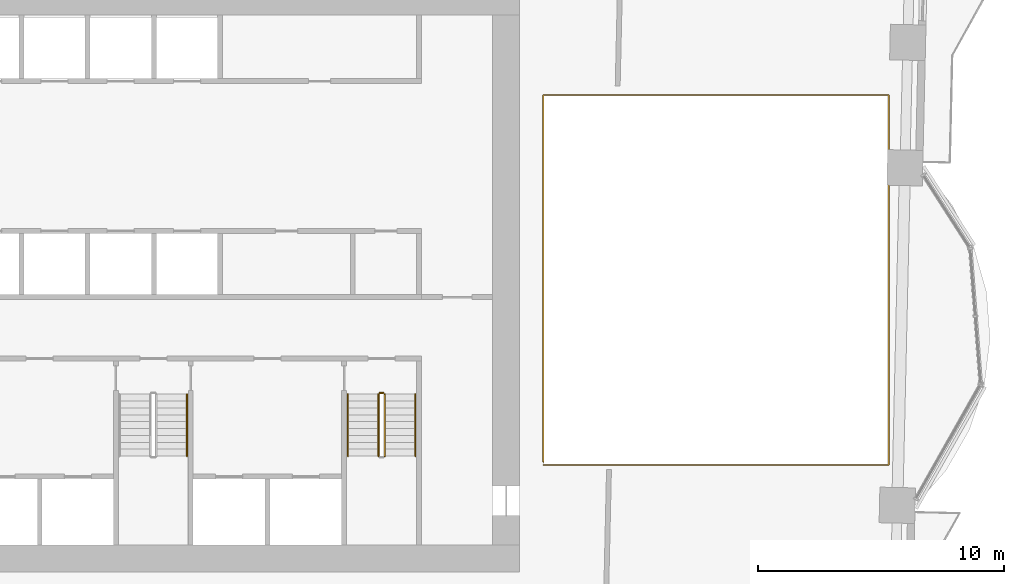
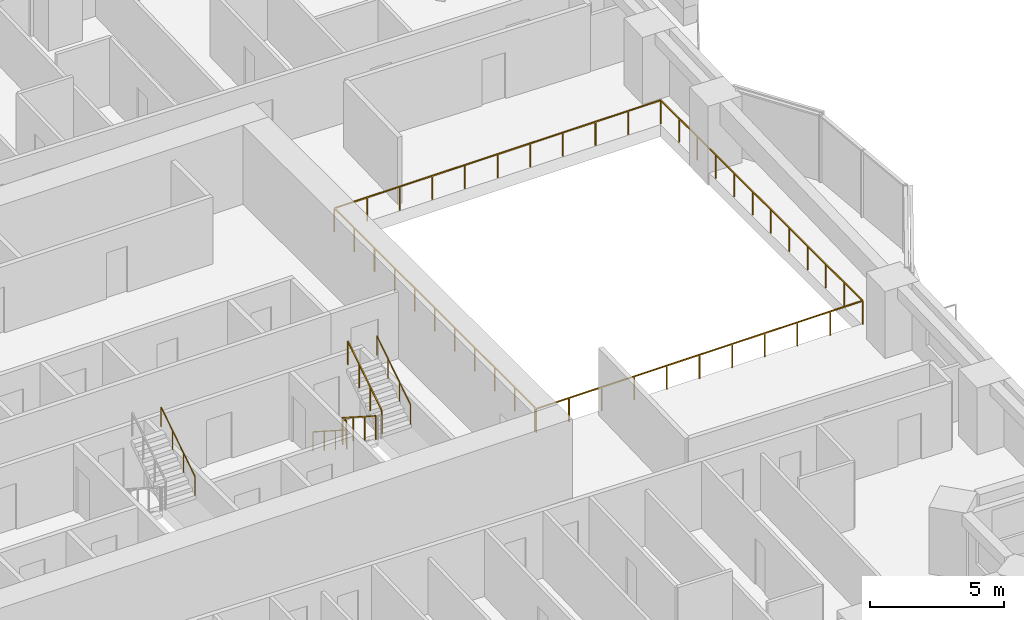
# One storey, part 17 of 18: 7 railings.
"""IFC4 building model written with IfcOpenShell, lengths in metres."""

from ifc_helpers import new_model, si_unit, direction, frame, origin, origin_2d, place, context, subcontext, project, spatial, rectangle, circle, extrude, material, type_object, element, save


model = new_model("IFC4")

# Units and contexts
model_context = context("Model", 3, precision=1e-05, world=origin(), true_north=direction((0.0, 1.0)))
body_context = subcontext(model_context, "Body", "Model", "MODEL_VIEW")
ifc_project = project(units=[si_unit("LENGTHUNIT", "METRE"), si_unit("AREAUNIT", "SQUARE_METRE"), si_unit("VOLUMEUNIT", "CUBIC_METRE"), si_unit("PLANEANGLEUNIT", "RADIAN"), si_unit("MASSUNIT", "GRAM", prefix="KILO")], contexts=[model_context])

# Site, building, storey
site_placement = place(None, origin())
site = spatial("IfcSite", under=ifc_project, at=site_placement, CompositionType="ELEMENT")
building_placement = place(site_placement, origin())
building = spatial("IfcBuilding", under=site, at=building_placement, Name="Mangrove Gate Tower", CompositionType="ELEMENT")
storey_placement = place(building_placement, frame((0.0, 0.0, 71.10009765625)))
storey = spatial("IfcBuildingStorey", under=building, at=storey_placement, Name="L17", CompositionType="ELEMENT", Elevation=71.10009765625)

# Railings
ifc_material_1 = material(Name="Stainless steel grade 316 with laminated glass infill", Category="steel")
railing_type_1 = type_object("IfcRailingType", Name="Balcony guard 1100", PredefinedType="GUARDRAIL", material=ifc_material_1)
railing_1_placement = place(storey_placement, frame((15.860107421875, -7.5400390625, 0.0)))
element("IfcRailing", 1, at=railing_1_placement, inside=storey, type_object=railing_type_1, Name="GUARD L17 atrium", PredefinedType="GUARDRAIL", context=body_context, shape_type="SweptSolid", body=[
    extrude(rectangle(XDim=0.048095703125, YDim=0.048095703125, at=origin_2d()), frame((0.0, 0.0, 1.076171875), z_axis=(1.0, 0.0, 0.0), x_axis=(0.0, 1.0, 0.0)), (0.0, 0.0, 1.0), 14.06982421875),
    extrude(rectangle(XDim=0.048095703125, YDim=0.048095703125, at=origin_2d()), frame((14.06982421875, 0.0, 1.076171875), z_axis=(0.0, 1.0, 0.0), x_axis=(-1.0, 0.0, 0.0)), (0.0, 0.0, 1.0), 15.080078125),
    extrude(rectangle(XDim=0.048095703125, YDim=0.048095703125, at=origin_2d()), frame((14.06982421875, 15.080078125, 1.076171875), z_axis=(-1.0, 0.0, 0.0), x_axis=(0.0, -1.0, 0.0)), (0.0, 0.0, 1.0), 14.06982421875),
    extrude(rectangle(XDim=0.048095703125, YDim=0.048095703125, at=origin_2d()), frame((0.0, 15.080078125, 1.076171875), z_axis=(0.0, -1.0, 0.0), x_axis=(1.0, 0.0, 0.0)), (0.0, 0.0, 1.0), 14.9599609375),
    extrude(rectangle(XDim=0.0419921875, YDim=0.0419921875, at=origin_2d()), origin(), (0.0, 0.0, 1.0), 1.052001953125),
    extrude(rectangle(XDim=0.0419921875, YDim=0.0419921875, at=origin_2d()), frame((1.406982421875, 0.0, 0.0)), (0.0, 0.0, 1.0), 1.052001953125),
    extrude(rectangle(XDim=0.0419921875, YDim=0.0419921875, at=origin_2d()), frame((2.81396484375, 0.0, 0.0)), (0.0, 0.0, 1.0), 1.052001953125),
    extrude(rectangle(XDim=0.0419921875, YDim=0.0419921875, at=origin_2d()), frame((4.220947265625, 0.0, 0.0)), (0.0, 0.0, 1.0), 1.052001953125),
    extrude(rectangle(XDim=0.0419921875, YDim=0.0419921875, at=origin_2d()), frame((5.6279296875, 0.0, 0.0)), (0.0, 0.0, 1.0), 1.052001953125),
    extrude(rectangle(XDim=0.0419921875, YDim=0.0419921875, at=origin_2d()), frame((7.034912109375, 0.0, 0.0)), (0.0, 0.0, 1.0), 1.052001953125),
    extrude(rectangle(XDim=0.0419921875, YDim=0.0419921875, at=origin_2d()), frame((8.44189453125, 0.0, 0.0)), (0.0, 0.0, 1.0), 1.052001953125),
    extrude(rectangle(XDim=0.0419921875, YDim=0.0419921875, at=origin_2d()), frame((9.848876953125, 0.0, 0.0)), (0.0, 0.0, 1.0), 1.052001953125),
    extrude(rectangle(XDim=0.0419921875, YDim=0.0419921875, at=origin_2d()), frame((11.255859375, 0.0, 0.0)), (0.0, 0.0, 1.0), 1.052001953125),
    extrude(rectangle(XDim=0.0419921875, YDim=0.0419921875, at=origin_2d()), frame((12.662841796875, 0.0, 0.0)), (0.0, 0.0, 1.0), 1.052001953125),
    extrude(rectangle(XDim=0.0419921875, YDim=0.0419921875, at=origin_2d()), frame((14.06982421875, 0.0, 0.0)), (0.0, 0.0, 1.0), 1.052001953125),
    extrude(rectangle(XDim=0.0419921875, YDim=0.0419921875, at=origin_2d()), frame((14.06982421875, 1.370849609375, 0.0)), (0.0, 0.0, 1.0), 1.052001953125),
    extrude(rectangle(XDim=0.0419921875, YDim=0.0419921875, at=origin_2d()), frame((14.06982421875, 2.741943359375, 0.0)), (0.0, 0.0, 1.0), 1.052001953125),
    extrude(rectangle(XDim=0.0419921875, YDim=0.0419921875, at=origin_2d()), frame((14.06982421875, 4.11279296875, 0.0)), (0.0, 0.0, 1.0), 1.052001953125),
    extrude(rectangle(XDim=0.0419921875, YDim=0.0419921875, at=origin_2d()), frame((14.06982421875, 5.483642578125, 0.0)), (0.0, 0.0, 1.0), 1.052001953125),
    extrude(rectangle(XDim=0.0419921875, YDim=0.0419921875, at=origin_2d()), frame((14.06982421875, 6.8544921875, 0.0)), (0.0, 0.0, 1.0), 1.052001953125),
    extrude(rectangle(XDim=0.0419921875, YDim=0.0419921875, at=origin_2d()), frame((14.06982421875, 8.2255859375, 0.0)), (0.0, 0.0, 1.0), 1.052001953125),
    extrude(rectangle(XDim=0.0419921875, YDim=0.0419921875, at=origin_2d()), frame((14.06982421875, 9.596435546875, 0.0)), (0.0, 0.0, 1.0), 1.052001953125),
    extrude(rectangle(XDim=0.0419921875, YDim=0.0419921875, at=origin_2d()), frame((14.06982421875, 10.96728515625, 0.0)), (0.0, 0.0, 1.0), 1.052001953125),
    extrude(rectangle(XDim=0.0419921875, YDim=0.0419921875, at=origin_2d()), frame((14.06982421875, 12.338134765625, 0.0)), (0.0, 0.0, 1.0), 1.052001953125),
    extrude(rectangle(XDim=0.0419921875, YDim=0.0419921875, at=origin_2d()), frame((14.06982421875, 13.709228515625, 0.0)), (0.0, 0.0, 1.0), 1.052001953125),
    extrude(rectangle(XDim=0.0419921875, YDim=0.0419921875, at=origin_2d()), frame((14.06982421875, 15.080078125, 0.0)), (0.0, 0.0, 1.0), 1.052001953125),
    extrude(rectangle(XDim=0.0419921875, YDim=0.0419921875, at=origin_2d()), frame((12.662841796875, 15.080078125, 0.0)), (0.0, 0.0, 1.0), 1.052001953125),
    extrude(rectangle(XDim=0.0419921875, YDim=0.0419921875, at=origin_2d()), frame((11.255859375, 15.080078125, 0.0)), (0.0, 0.0, 1.0), 1.052001953125),
    extrude(rectangle(XDim=0.0419921875, YDim=0.0419921875, at=origin_2d()), frame((9.848876953125, 15.080078125, 0.0)), (0.0, 0.0, 1.0), 1.052001953125),
    extrude(rectangle(XDim=0.0419921875, YDim=0.0419921875, at=origin_2d()), frame((8.44189453125, 15.080078125, 0.0)), (0.0, 0.0, 1.0), 1.052001953125),
    extrude(rectangle(XDim=0.0419921875, YDim=0.0419921875, at=origin_2d()), frame((7.034912109375, 15.080078125, 0.0)), (0.0, 0.0, 1.0), 1.052001953125),
    extrude(rectangle(XDim=0.0419921875, YDim=0.0419921875, at=origin_2d()), frame((5.6279296875, 15.080078125, 0.0)), (0.0, 0.0, 1.0), 1.052001953125),
    extrude(rectangle(XDim=0.0419921875, YDim=0.0419921875, at=origin_2d()), frame((4.220947265625, 15.080078125, 0.0)), (0.0, 0.0, 1.0), 1.052001953125),
    extrude(rectangle(XDim=0.0419921875, YDim=0.0419921875, at=origin_2d()), frame((2.81396484375, 15.080078125, 0.0)), (0.0, 0.0, 1.0), 1.052001953125),
    extrude(rectangle(XDim=0.0419921875, YDim=0.0419921875, at=origin_2d()), frame((1.406982421875, 15.080078125, 0.0)), (0.0, 0.0, 1.0), 1.052001953125),
    extrude(rectangle(XDim=0.0419921875, YDim=0.0419921875, at=origin_2d()), frame((0.0, 15.080078125, 0.0)), (0.0, 0.0, 1.0), 1.052001953125),
    extrude(rectangle(XDim=0.0419921875, YDim=0.0419921875, at=origin_2d()), frame((0.0, 13.583984375, 0.0)), (0.0, 0.0, 1.0), 1.052001953125),
    extrude(rectangle(XDim=0.0419921875, YDim=0.0419921875, at=origin_2d()), frame((0.0, 12.088134765625, 0.0)), (0.0, 0.0, 1.0), 1.052001953125),
    extrude(rectangle(XDim=0.0419921875, YDim=0.0419921875, at=origin_2d()), frame((0.0, 10.592041015625, 0.0)), (0.0, 0.0, 1.0), 1.052001953125),
    extrude(rectangle(XDim=0.0419921875, YDim=0.0419921875, at=origin_2d()), frame((0.0, 9.09619140625, 0.0)), (0.0, 0.0, 1.0), 1.052001953125),
    extrude(rectangle(XDim=0.0419921875, YDim=0.0419921875, at=origin_2d()), frame((0.0, 7.60009765625, 0.0)), (0.0, 0.0, 1.0), 1.052001953125),
    extrude(rectangle(XDim=0.0419921875, YDim=0.0419921875, at=origin_2d()), frame((0.0, 6.10400390625, 0.0)), (0.0, 0.0, 1.0), 1.052001953125),
    extrude(rectangle(XDim=0.0419921875, YDim=0.0419921875, at=origin_2d()), frame((0.0, 4.608154296875, 0.0)), (0.0, 0.0, 1.0), 1.052001953125),
    extrude(rectangle(XDim=0.0419921875, YDim=0.0419921875, at=origin_2d()), frame((0.0, 3.112060546875, 0.0)), (0.0, 0.0, 1.0), 1.052001953125),
    extrude(rectangle(XDim=0.0419921875, YDim=0.0419921875, at=origin_2d()), frame((0.0, 1.6162109375, 0.0)), (0.0, 0.0, 1.0), 1.052001953125),
    extrude(rectangle(XDim=0.0419921875, YDim=0.0419921875, at=origin_2d()), frame((0.0, 0.1201171875, 0.0)), (0.0, 0.0, 1.0), 1.052001953125),
])
ifc_material_2 = material(Name="Stainless steel 316", Category="steel")
railing_type_2 = type_object("IfcRailingType", Name="Core stair guard 1100", PredefinedType="GUARDRAIL", material=ifc_material_2)
railing_2_placement = place(storey_placement, frame((9.14990234375, -4.64990234375, 0.179931640625)))
element("IfcRailing", 2, at=railing_2_placement, inside=storey, type_object=railing_type_2, Name="L17 ST3 stair guard 1", PredefinedType="GUARDRAIL", context=body_context, shape_type="SweptSolid", body=[
    extrude(rectangle(XDim=0.048095703125, YDim=0.048095703125, at=origin_2d()), frame((0.0, 0.0, 1.076171875), z_axis=(0.0, -0.841199657755, 0.540724639528), x_axis=(1.0, 0.0, 0.0)), (0.0, 0.0, 1.0), 2.995849609375),
    extrude(rectangle(XDim=0.0419921875, YDim=0.0419921875, at=origin_2d()), origin(), (0.0, 0.0, 1.0), 1.052001953125),
    extrude(rectangle(XDim=0.0419921875, YDim=0.0419921875, at=origin_2d()), frame((0.0, -0.840087890625, 0.5400390625)), (0.0, 0.0, 1.0), 1.052001953125),
    extrude(rectangle(XDim=0.0419921875, YDim=0.0419921875, at=origin_2d()), frame((0.0, -1.679931640625, 1.079833984375)), (0.0, 0.0, 1.0), 1.052001953125),
    extrude(rectangle(XDim=0.0419921875, YDim=0.0419921875, at=origin_2d()), frame((0.0, -2.52001953125, 1.619873046875)), (0.0, 0.0, 1.0), 1.052001953125),
])
railing_3_placement = place(storey_placement, frame((9.39990234375, -7.169921875, 1.97998046875)))
element("IfcRailing", 3, at=railing_3_placement, inside=storey, type_object=railing_type_2, Name="L17 ST3 stair guard 3", PredefinedType="GUARDRAIL", context=body_context, shape_type="SweptSolid", body=[
    extrude(rectangle(XDim=0.048095703125, YDim=0.048095703125, at=origin_2d()), frame((0.0, 0.0, 1.076171875), z_axis=(0.0, 0.841199657755, 0.540724639528), x_axis=(-1.0, 0.0, 0.0)), (0.0, 0.0, 1.0), 2.995849609375),
    extrude(rectangle(XDim=0.0419921875, YDim=0.0419921875, at=origin_2d()), origin(), (0.0, 0.0, 1.0), 1.052001953125),
    extrude(rectangle(XDim=0.0419921875, YDim=0.0419921875, at=origin_2d()), frame((0.0, 0.840087890625, 0.5400390625)), (0.0, 0.0, 1.0), 1.052001953125),
    extrude(rectangle(XDim=0.0419921875, YDim=0.0419921875, at=origin_2d()), frame((0.0, 1.679931640625, 1.079833984375)), (0.0, 0.0, 1.0), 1.052001953125),
    extrude(rectangle(XDim=0.0419921875, YDim=0.0419921875, at=origin_2d()), frame((0.0, 2.52001953125, 1.619873046875)), (0.0, 0.0, 1.0), 1.052001953125),
])
railing_4_placement = place(storey_placement, frame((9.199951171875, -4.60009765625, 0.0)))
element("IfcRailing", 4, at=railing_4_placement, inside=storey, type_object=railing_type_2, Name="L17 ST3 stair guard 4", PredefinedType="GUARDRAIL", context=body_context, shape_type="SweptSolid", body=[
    extrude(rectangle(XDim=0.048095703125, YDim=0.048095703125, at=origin_2d()), frame((0.0, 0.0, 1.076171875), z_axis=(1.0, 0.0, 0.0), x_axis=(0.0, 1.0, 0.0)), (0.0, 0.0, 1.0), 0.150146484375),
    extrude(rectangle(XDim=0.0419921875, YDim=0.0419921875, at=origin_2d()), origin(), (0.0, 0.0, 1.0), 1.052001953125),
    extrude(rectangle(XDim=0.0419921875, YDim=0.0419921875, at=origin_2d()), frame((0.150146484375, 0.0, 0.0)), (0.0, 0.0, 1.0), 1.052001953125),
])
ifc_material_3 = material(Name="Stainless steel 316", Category="steel")
railing_type_3 = type_object("IfcRailingType", Name="Core stair handrail 900", PredefinedType="HANDRAIL", material=ifc_material_3)
railing_5_placement = place(storey_placement, frame((1.35009765625, -7.169921875, 1.97998046875)))
element("IfcRailing", 5, at=railing_5_placement, inside=storey, type_object=railing_type_3, Name="L17 ST2 stair handrail 2", PredefinedType="HANDRAIL", context=body_context, shape_type="SweptSolid", body=[
    extrude(circle(Radius=0.02392578125, at=origin_2d()), frame((0.0, 0.0, 0.8759765625), z_axis=(0.0, 0.841199657755, 0.540724639528), x_axis=(-1.0, 0.0, 0.0)), (0.0, 0.0, 1.0), 2.995849609375),
    extrude(circle(Radius=0.02099609375, at=origin_2d()), origin(), (0.0, 0.0, 1.0), 0.851806640625),
    extrude(circle(Radius=0.02099609375, at=origin_2d()), frame((0.0, 0.840087890625, 0.5400390625)), (0.0, 0.0, 1.0), 0.851806640625),
    extrude(circle(Radius=0.02099609375, at=origin_2d()), frame((0.0, 1.679931640625, 1.079833984375)), (0.0, 0.0, 1.0), 0.851806640625),
    extrude(circle(Radius=0.02099609375, at=origin_2d()), frame((0.0, 2.52001953125, 1.619873046875)), (0.0, 0.0, 1.0), 0.851806640625),
])
railing_6_placement = place(storey_placement, frame((7.89990234375, -4.64990234375, 0.179931640625)))
element("IfcRailing", 6, at=railing_6_placement, inside=storey, type_object=railing_type_3, Name="L17 ST3 stair handrail 1", PredefinedType="HANDRAIL", context=body_context, shape_type="SweptSolid", body=[
    extrude(circle(Radius=0.02392578125, at=origin_2d()), frame((0.0, 0.0, 0.8759765625), z_axis=(0.0, -0.841199657755, 0.540724639528), x_axis=(1.0, 0.0, 0.0)), (0.0, 0.0, 1.0), 2.995849609375),
    extrude(circle(Radius=0.02099609375, at=origin_2d()), origin(), (0.0, 0.0, 1.0), 0.851806640625),
    extrude(circle(Radius=0.02099609375, at=origin_2d()), frame((0.0, -0.840087890625, 0.5400390625)), (0.0, 0.0, 1.0), 0.851806640625),
    extrude(circle(Radius=0.02099609375, at=origin_2d()), frame((0.0, -1.679931640625, 1.079833984375)), (0.0, 0.0, 1.0), 0.851806640625),
    extrude(circle(Radius=0.02099609375, at=origin_2d()), frame((0.0, -2.52001953125, 1.619873046875)), (0.0, 0.0, 1.0), 0.851806640625),
])
railing_7_placement = place(storey_placement, frame((10.64990234375, -7.169921875, 1.97998046875)))
element("IfcRailing", 7, at=railing_7_placement, inside=storey, type_object=railing_type_3, Name="L17 ST3 stair handrail 2", PredefinedType="HANDRAIL", context=body_context, shape_type="SweptSolid", body=[
    extrude(circle(Radius=0.02392578125, at=origin_2d()), frame((0.0, 0.0, 0.8759765625), z_axis=(0.0, 0.841199657755, 0.540724639528), x_axis=(-1.0, 0.0, 0.0)), (0.0, 0.0, 1.0), 2.995849609375),
    extrude(circle(Radius=0.02099609375, at=origin_2d()), origin(), (0.0, 0.0, 1.0), 0.851806640625),
    extrude(circle(Radius=0.02099609375, at=origin_2d()), frame((0.0, 0.840087890625, 0.5400390625)), (0.0, 0.0, 1.0), 0.851806640625),
    extrude(circle(Radius=0.02099609375, at=origin_2d()), frame((0.0, 1.679931640625, 1.079833984375)), (0.0, 0.0, 1.0), 0.851806640625),
    extrude(circle(Radius=0.02099609375, at=origin_2d()), frame((0.0, 2.52001953125, 1.619873046875)), (0.0, 0.0, 1.0), 0.851806640625),
])

save(model, "model.ifc")
